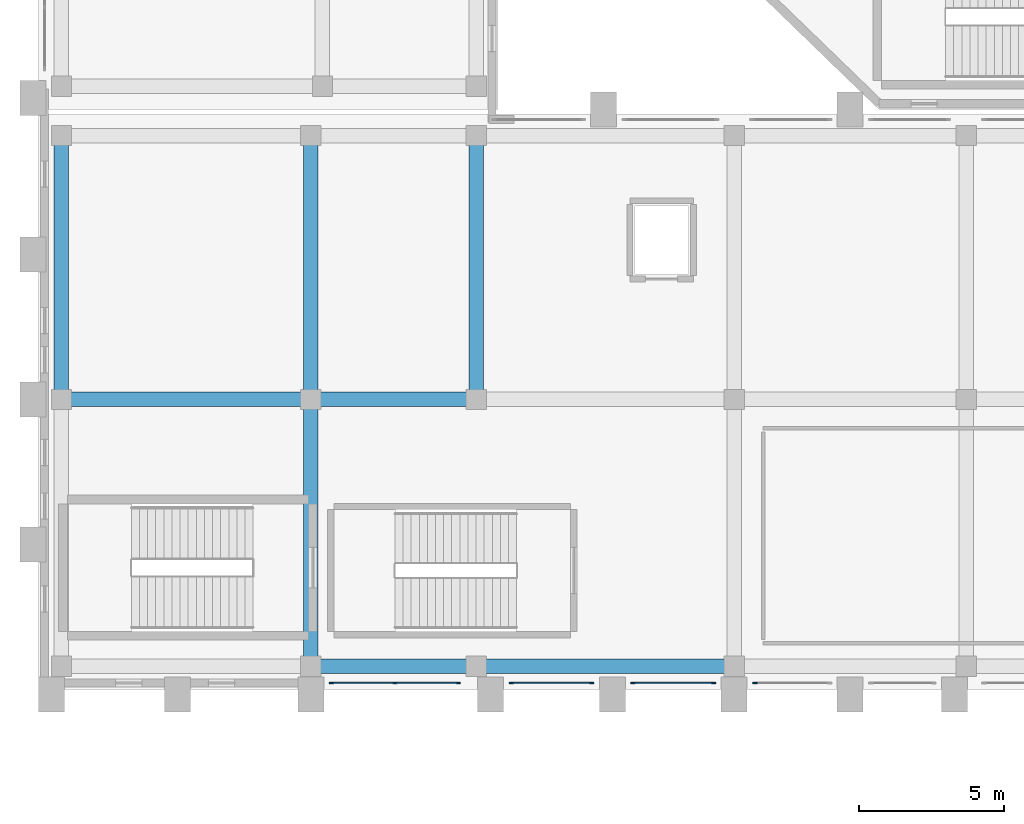
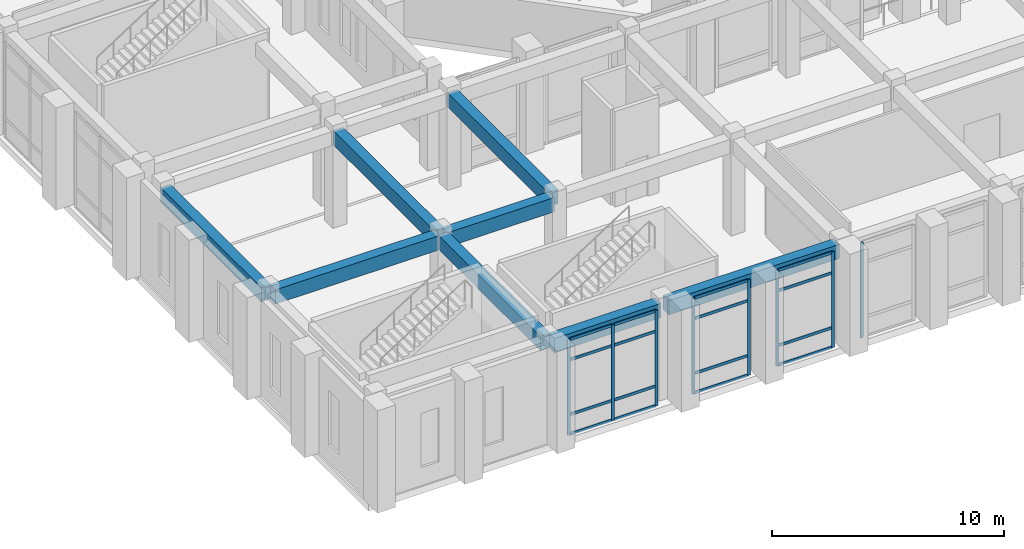
# One storey, part 18 of 159: 24 members, 8 beams, 4 elements without a shape of their own.
"""IFC4 building model written with IfcOpenShell, lengths in metres."""

from ifc_helpers import new_model, si_unit, derived_unit, direction, frame, origin, origin_2d, place, context, subcontext, project, spatial, rectangle, extrude, material, layer, layer_set, material_profile, profile_set, type_object, element, aggregate, save


model = new_model("IFC4")

# Units and contexts
model_context = context("Model", 3, precision=1e-05, world=origin(), true_north=direction((0.0, 1.0)))
body_context = subcontext(model_context, "Body", "Model", "MODEL_VIEW")
ifc_project = project(units=[si_unit("LENGTHUNIT", "METRE"), si_unit("AREAUNIT", "SQUARE_METRE"), si_unit("VOLUMEUNIT", "CUBIC_METRE"), si_unit("PLANEANGLEUNIT", "RADIAN"), si_unit("MASSUNIT", "GRAM", prefix="KILO"), derived_unit("THERMALTRANSMITTANCEUNIT", [(si_unit("MASSUNIT", "GRAM", prefix="KILO"), 1), (si_unit("TIMEUNIT", "SECOND"), -3), (si_unit("THERMODYNAMICTEMPERATUREUNIT", "KELVIN"), -1)])], contexts=[model_context])

# Site, building, storey
site_placement = place(None, origin())
site = spatial("IfcSite", under=ifc_project, at=site_placement, CompositionType="ELEMENT")
building_placement = place(site_placement, origin())
building = spatial("IfcBuilding", under=site, at=building_placement, Name="Valcora Ridge Arena", CompositionType="ELEMENT")
storey_placement = place(building_placement, frame((0.0, 0.0, 6.0)))
storey = spatial("IfcBuildingStorey", under=building, at=storey_placement, Name="L01", CompositionType="ELEMENT", Elevation=6.0)

# Beams
ifc_material_1 = material(Name="Concrete C40/50", Category="concrete")
ifc_material_profile_1 = material_profile(ifc_material_1, rectangle(XDim=0.5, YDim=0.75, at=origin_2d()), Name="RC 500x750")
ifc_profile_set_1 = profile_set([ifc_material_profile_1], Name="Concrete C40/50")
beam_type_1 = type_object("IfcBeamType", Name="TY-BEAM-B-RC500-X", PredefinedType="BEAM", material=ifc_profile_set_1)
beam_1_placement = place(storey_placement, frame((1.0, 10.0, 4.6650390625), z_axis=(1.0, 0.0, 0.0), x_axis=(0.0, 1.0, 0.0)))
element("IfcBeam", 1, at=beam_1_placement, inside=storey, type_object=beam_type_1, Name="B-RC500-X BEM-B-RC500-X-0027", PredefinedType="BEAM", context=body_context, shape_type="SweptSolid", body=[
    extrude(rectangle(XDim=0.5, YDim=0.75, at=origin_2d()), origin(), (0.0, 0.0, 1.0), 8.199951171875),
])
beam_2_placement = place(storey_placement, frame((9.60009765625, 10.0, 4.6650390625), z_axis=(1.0, 0.0, 0.0), x_axis=(0.0, 1.0, 0.0)))
element("IfcBeam", 2, at=beam_2_placement, inside=storey, type_object=beam_type_1, Name="B-RC500-X BEM-B-RC500-X-0028", PredefinedType="BEAM", context=body_context, shape_type="SweptSolid", body=[
    extrude(rectangle(XDim=0.5, YDim=0.75, at=origin_2d()), origin(), (0.0, 0.0, 1.0), 5.2998046875),
])
ifc_material_profile_2 = material_profile(ifc_material_1, rectangle(XDim=0.5, YDim=0.75, at=origin_2d()), Name="RC 500x750")
ifc_profile_set_2 = profile_set([ifc_material_profile_2], Name="Concrete C40/50")
beam_type_2 = type_object("IfcBeamType", Name="TY-BEAM-B-RC500-Y", PredefinedType="BEAM", material=ifc_profile_set_2)
beam_3_placement = place(storey_placement, frame((0.800048828125, 10.199951171875, 4.6650390625), z_axis=(0.0, 1.0, 0.0), x_axis=(-1.0, 0.0, 0.0)))
element("IfcBeam", 3, at=beam_3_placement, inside=storey, type_object=beam_type_2, Name="B-RC500-Y BEM-B-RC500-Y-0035", PredefinedType="BEAM", context=body_context, shape_type="SweptSolid", body=[
    extrude(rectangle(XDim=0.5, YDim=0.75, at=origin_2d()), origin(), (0.0, 0.0, 1.0), 8.699951171875),
])
beam_4_placement = place(storey_placement, frame((9.39990234375, 1.0, 4.6650390625), z_axis=(0.0, 1.0, 0.0), x_axis=(-1.0, 0.0, 0.0)))
element("IfcBeam", 4, at=beam_4_placement, inside=storey, type_object=beam_type_2, Name="B-RC500-Y BEM-B-RC500-Y-0042", PredefinedType="BEAM", context=body_context, shape_type="SweptSolid", body=[
    extrude(rectangle(XDim=0.5, YDim=0.75, at=origin_2d()), origin(), (0.0, 0.0, 1.0), 8.800048828125),
])
for number, where, z_axis, x_axis, name in (
    (5, (9.39990234375, 10.199951171875, 4.6650390625), (0.0, 1.0, 0.0), (-1.0, 0.0, 0.0), "B-RC500-Y BEM-B-RC500-Y-0043"),
    (6, (15.10009765625, 10.199951171875, 4.6650390625), (0.0, 1.0, 0.0), (-1.0, 0.0, 0.0), "B-RC500-Y BEM-B-RC500-Y-0050"),
):
    element("IfcBeam", number, at=place(storey_placement, frame(where, z_axis=z_axis, x_axis=x_axis)), inside=storey, type_object=beam_type_2, Name=name, PredefinedType="BEAM", context=body_context, shape_type="SweptSolid", body=[
        extrude(rectangle(XDim=0.5, YDim=0.75, at=origin_2d()), origin(), (0.0, 0.0, 1.0), 8.699951171875),
    ])
ifc_material_profile_3 = material_profile(ifc_material_1, rectangle(XDim=0.5, YDim=0.75, at=origin_2d()), Name="RC 500x750")
ifc_profile_set_3 = profile_set([ifc_material_profile_3], Name="Concrete C40/50")
beam_type_3 = type_object("IfcBeamType", Name="TY-BEAM-EB-RC500", PredefinedType="BEAM", material=ifc_profile_set_3)
beam_5_placement = place(storey_placement, frame((9.60009765625, 0.800048828125, 4.6650390625), z_axis=(1.0, 0.0, 0.0), x_axis=(0.0, 1.0, 0.0)))
element("IfcBeam", 7, at=beam_5_placement, inside=storey, type_object=beam_type_3, Name="EB-RC500 BEM-EB-RC500-0011", PredefinedType="BEAM", context=body_context, shape_type="SweptSolid", body=[
    extrude(rectangle(XDim=0.5, YDim=0.75, at=origin_2d()), origin(), (0.0, 0.0, 1.0), 5.2998046875),
])
beam_6_placement = place(storey_placement, frame((15.300048828125, 0.800048828125, 4.6650390625), z_axis=(1.0, 0.0, 0.0), x_axis=(0.0, 1.0, 0.0)))
element("IfcBeam", 8, at=beam_6_placement, inside=storey, type_object=beam_type_3, Name="EB-RC500 BEM-EB-RC500-0012", PredefinedType="BEAM", context=body_context, shape_type="SweptSolid", body=[
    extrude(rectangle(XDim=0.5, YDim=0.75, at=origin_2d()), origin(), (0.0, 0.0, 1.0), 8.5),
])

# Curtain wall, members
ifc_material_2 = material(Name="Anodised dark bronze architectural aluminium 6063-T6", Category="aluminium")
ifc_layer_1 = layer(ifc_material_2, 0.14990234375, Name="Anodised dark bronze architectural aluminium 6063-T6")
ifc_layer_set_1 = layer_set([ifc_layer_1], Name="Anodised dark bronze architectural aluminium 6063-T6")
curtain_wall_type_1 = type_object("IfcCurtainWallType", Name="TY-CURTAINWALL-CW-V4-CLUB-044X50", PredefinedType="NOTDEFINED", material=ifc_layer_set_1)
curtain_wall_1_placement = place(storey_placement, origin())
curtain_wall_1 = element("IfcCurtainWall", 9, at=curtain_wall_1_placement, inside=storey, type_object=curtain_wall_type_1, Name="CW-V4-CLUB-044X50 CW-0204", PredefinedType="NOTDEFINED")
ifc_material_profile_4 = material_profile(ifc_material_2, rectangle(XDim=0.050048828125, YDim=0.14990234375, at=origin_2d()), Name="ALU MULLION 50x150")
ifc_profile_set_4 = profile_set([ifc_material_profile_4], Name="Anodised dark bronze architectural aluminium 6063-T6")
member_type_1 = type_object("IfcMemberType", Name="TY-MEM-CWM-50x150", PredefinedType="MULLION", material=ifc_profile_set_4)
member_1_placement = place(storey_placement, frame((10.114990234375, 0.219970703125, 0.0), z_axis=(0.0, 0.0, 1.0), x_axis=(0.0, 1.0, 0.0)))
member_1 = element("IfcMember", 10, at=member_1_placement, type_object=member_type_1, Name="CW-0204/CWM-50x150/M00", PredefinedType="MULLION", context=body_context, shape_type="SweptSolid", body=[
    extrude(rectangle(XDim=0.050048828125, YDim=0.14990234375, at=origin_2d()), origin(), (0.0, 0.0, 1.0), 5.0400390625),
])
member_2_placement = place(storey_placement, frame((12.300048828125, 0.219970703125, 0.0), z_axis=(0.0, 0.0, 1.0), x_axis=(0.0, 1.0, 0.0)))
member_2 = element("IfcMember", 11, at=member_2_placement, type_object=member_type_1, Name="CW-0204/CWM-50x150/M01", PredefinedType="MULLION", context=body_context, shape_type="SweptSolid", body=[
    extrude(rectangle(XDim=0.050048828125, YDim=0.14990234375, at=origin_2d()), origin(), (0.0, 0.0, 1.0), 5.0400390625),
])
member_3_placement = place(storey_placement, frame((14.485107421875, 0.219970703125, 0.0), z_axis=(0.0, 0.0, 1.0), x_axis=(0.0, 1.0, 0.0)))
member_3 = element("IfcMember", 12, at=member_3_placement, type_object=member_type_1, Name="CW-0204/CWM-50x150/M02", PredefinedType="MULLION", context=body_context, shape_type="SweptSolid", body=[
    extrude(rectangle(XDim=0.050048828125, YDim=0.14990234375, at=origin_2d()), origin(), (0.0, 0.0, 1.0), 5.0400390625),
])

ifc_layer_2 = layer(ifc_material_2, 0.14990234375, Name="Anodised dark bronze architectural aluminium 6063-T6")
ifc_layer_set_2 = layer_set([ifc_layer_2], Name="Anodised dark bronze architectural aluminium 6063-T6")
curtain_wall_type_2 = type_object("IfcCurtainWallType", Name="TY-CURTAINWALL-CW-V4-CLUB-028X50", PredefinedType="NOTDEFINED", material=ifc_layer_set_2)
curtain_wall_2_placement = place(storey_placement, origin())
curtain_wall_2 = element("IfcCurtainWall", 13, at=curtain_wall_2_placement, inside=storey, type_object=curtain_wall_type_2, Name="CW-V4-CLUB-028X50 CW-0205", PredefinedType="NOTDEFINED")
member_4_placement = place(storey_placement, frame((16.31494140625, 0.219970703125, 0.0), z_axis=(0.0, 0.0, 1.0), x_axis=(0.0, 1.0, 0.0)))
member_4 = element("IfcMember", 14, at=member_4_placement, type_object=member_type_1, Name="CW-0205/CWM-50x150/M00", PredefinedType="MULLION", context=body_context, shape_type="SweptSolid", body=[
    extrude(rectangle(XDim=0.050048828125, YDim=0.14990234375, at=origin_2d()), origin(), (0.0, 0.0, 1.0), 5.0400390625),
])
member_5_placement = place(storey_placement, frame((19.0849609375, 0.219970703125, 0.0), z_axis=(0.0, 0.0, 1.0), x_axis=(0.0, 1.0, 0.0)))
member_5 = element("IfcMember", 15, at=member_5_placement, type_object=member_type_1, Name="CW-0205/CWM-50x150/M01", PredefinedType="MULLION", context=body_context, shape_type="SweptSolid", body=[
    extrude(rectangle(XDim=0.050048828125, YDim=0.14990234375, at=origin_2d()), origin(), (0.0, 0.0, 1.0), 5.0400390625),
])

curtain_wall_3_placement = place(storey_placement, origin())
curtain_wall_3 = element("IfcCurtainWall", 16, at=curtain_wall_3_placement, inside=storey, type_object=curtain_wall_type_2, Name="CW-V4-CLUB-028X50 CW-0206", PredefinedType="NOTDEFINED")
member_6_placement = place(storey_placement, frame((20.514892578125, 0.219970703125, 0.0), z_axis=(0.0, 0.0, 1.0), x_axis=(0.0, 1.0, 0.0)))
member_6 = element("IfcMember", 17, at=member_6_placement, type_object=member_type_1, Name="CW-0206/CWM-50x150/M00", PredefinedType="MULLION", context=body_context, shape_type="SweptSolid", body=[
    extrude(rectangle(XDim=0.050048828125, YDim=0.14990234375, at=origin_2d()), origin(), (0.0, 0.0, 1.0), 5.0400390625),
])
member_7_placement = place(storey_placement, frame((23.284912109375, 0.219970703125, 0.0), z_axis=(0.0, 0.0, 1.0), x_axis=(0.0, 1.0, 0.0)))
member_7 = element("IfcMember", 18, at=member_7_placement, type_object=member_type_1, Name="CW-0206/CWM-50x150/M01", PredefinedType="MULLION", context=body_context, shape_type="SweptSolid", body=[
    extrude(rectangle(XDim=0.050048828125, YDim=0.14990234375, at=origin_2d()), origin(), (0.0, 0.0, 1.0), 5.0400390625),
])

# Curtain wall, member
ifc_layer_3 = layer(ifc_material_2, 0.14990234375, Name="Anodised dark bronze architectural aluminium 6063-T6")
ifc_layer_set_3 = layer_set([ifc_layer_3], Name="Anodised dark bronze architectural aluminium 6063-T6")
curtain_wall_type_3 = type_object("IfcCurtainWallType", Name="TY-CURTAINWALL-CW-V4-CLUB-026X50", PredefinedType="NOTDEFINED", material=ifc_layer_set_3)
curtain_wall_4_placement = place(storey_placement, origin())
curtain_wall_4 = element("IfcCurtainWall", 19, at=curtain_wall_4_placement, inside=storey, type_object=curtain_wall_type_3, Name="CW-V4-CLUB-026X50 CW-0207", PredefinedType="NOTDEFINED")
member_8_placement = place(storey_placement, frame((24.715087890625, 0.219970703125, 0.0), z_axis=(0.0, 0.0, 1.0), x_axis=(0.0, 1.0, 0.0)))
member_8 = element("IfcMember", 20, at=member_8_placement, type_object=member_type_1, Name="CW-0207/CWM-50x150/M00", PredefinedType="MULLION", context=body_context, shape_type="SweptSolid", body=[
    extrude(rectangle(XDim=0.050048828125, YDim=0.14990234375, at=origin_2d()), origin(), (0.0, 0.0, 1.0), 5.0400390625),
])
aggregate(curtain_wall_4, [member_8])

# Member
ifc_material_profile_5 = material_profile(ifc_material_2, rectangle(XDim=0.050048828125, YDim=0.14990234375, at=origin_2d()), Name="ALU TRANSOM 50x150")
ifc_profile_set_5 = profile_set([ifc_material_profile_5], Name="Anodised dark bronze architectural aluminium 6063-T6")
member_type_2 = type_object("IfcMemberType", Name="TY-MEM-CWT-50x150", PredefinedType="USERDEFINED", material=ifc_profile_set_5)
member_9_placement = place(storey_placement, frame((10.139892578125, 0.219970703125, 0.02490234375), z_axis=(1.0, 0.0, 0.0), x_axis=(0.0, 1.0, 0.0)))
member_9 = element("IfcMember", 21, at=member_9_placement, type_object=member_type_2, Name="CW-0204/CWT-50x150/T00-00", ObjectType="TRANSOM", PredefinedType="USERDEFINED", context=body_context, shape_type="SweptSolid", body=[
    extrude(rectangle(XDim=0.050048828125, YDim=0.14990234375, at=origin_2d()), origin(), (0.0, 0.0, 1.0), 2.135009765625),
])

member_10_placement = place(storey_placement, frame((10.139892578125, 0.219970703125, 1.050048828125), z_axis=(1.0, 0.0, 0.0), x_axis=(0.0, 1.0, 0.0)))
member_10 = element("IfcMember", 22, at=member_10_placement, type_object=member_type_2, Name="CW-0204/CWT-50x150/T00-01", ObjectType="TRANSOM", PredefinedType="USERDEFINED", context=body_context, shape_type="SweptSolid", body=[
    extrude(rectangle(XDim=0.050048828125, YDim=0.14990234375, at=origin_2d()), origin(), (0.0, 0.0, 1.0), 2.135009765625),
])

member_11_placement = place(storey_placement, frame((10.139892578125, 0.219970703125, 3.93994140625), z_axis=(1.0, 0.0, 0.0), x_axis=(0.0, 1.0, 0.0)))
member_11 = element("IfcMember", 23, at=member_11_placement, type_object=member_type_2, Name="CW-0204/CWT-50x150/T00-02", ObjectType="TRANSOM", PredefinedType="USERDEFINED", context=body_context, shape_type="SweptSolid", body=[
    extrude(rectangle(XDim=0.050048828125, YDim=0.14990234375, at=origin_2d()), origin(), (0.0, 0.0, 1.0), 2.135009765625),
])

member_12_placement = place(storey_placement, frame((10.139892578125, 0.219970703125, 5.014892578125), z_axis=(1.0, 0.0, 0.0), x_axis=(0.0, 1.0, 0.0)))
member_12 = element("IfcMember", 24, at=member_12_placement, type_object=member_type_2, Name="CW-0204/CWT-50x150/T00-03", ObjectType="TRANSOM", PredefinedType="USERDEFINED", context=body_context, shape_type="SweptSolid", body=[
    extrude(rectangle(XDim=0.050048828125, YDim=0.14990234375, at=origin_2d()), origin(), (0.0, 0.0, 1.0), 2.135009765625),
])

member_13_placement = place(storey_placement, frame((12.324951171875, 0.219970703125, 0.02490234375), z_axis=(1.0, 0.0, 0.0), x_axis=(0.0, 1.0, 0.0)))
member_13 = element("IfcMember", 25, at=member_13_placement, type_object=member_type_2, Name="CW-0204/CWT-50x150/T01-00", ObjectType="TRANSOM", PredefinedType="USERDEFINED", context=body_context, shape_type="SweptSolid", body=[
    extrude(rectangle(XDim=0.050048828125, YDim=0.14990234375, at=origin_2d()), origin(), (0.0, 0.0, 1.0), 2.135009765625),
])

member_14_placement = place(storey_placement, frame((12.324951171875, 0.219970703125, 1.050048828125), z_axis=(1.0, 0.0, 0.0), x_axis=(0.0, 1.0, 0.0)))
member_14 = element("IfcMember", 26, at=member_14_placement, type_object=member_type_2, Name="CW-0204/CWT-50x150/T01-01", ObjectType="TRANSOM", PredefinedType="USERDEFINED", context=body_context, shape_type="SweptSolid", body=[
    extrude(rectangle(XDim=0.050048828125, YDim=0.14990234375, at=origin_2d()), origin(), (0.0, 0.0, 1.0), 2.135009765625),
])

member_15_placement = place(storey_placement, frame((12.324951171875, 0.219970703125, 3.93994140625), z_axis=(1.0, 0.0, 0.0), x_axis=(0.0, 1.0, 0.0)))
member_15 = element("IfcMember", 27, at=member_15_placement, type_object=member_type_2, Name="CW-0204/CWT-50x150/T01-02", ObjectType="TRANSOM", PredefinedType="USERDEFINED", context=body_context, shape_type="SweptSolid", body=[
    extrude(rectangle(XDim=0.050048828125, YDim=0.14990234375, at=origin_2d()), origin(), (0.0, 0.0, 1.0), 2.135009765625),
])

member_16_placement = place(storey_placement, frame((12.324951171875, 0.219970703125, 5.014892578125), z_axis=(1.0, 0.0, 0.0), x_axis=(0.0, 1.0, 0.0)))
member_16 = element("IfcMember", 28, at=member_16_placement, type_object=member_type_2, Name="CW-0204/CWT-50x150/T01-03", ObjectType="TRANSOM", PredefinedType="USERDEFINED", context=body_context, shape_type="SweptSolid", body=[
    extrude(rectangle(XDim=0.050048828125, YDim=0.14990234375, at=origin_2d()), origin(), (0.0, 0.0, 1.0), 2.135009765625),
])

aggregate(curtain_wall_1, [member_1, member_2, member_3, member_9, member_10, member_11, member_12, member_13, member_14, member_15, member_16])

member_17_placement = place(storey_placement, frame((16.340087890625, 0.219970703125, 0.02490234375), z_axis=(1.0, 0.0, 0.0), x_axis=(0.0, 1.0, 0.0)))
member_17 = element("IfcMember", 29, at=member_17_placement, type_object=member_type_2, Name="CW-0205/CWT-50x150/T00-00", ObjectType="TRANSOM", PredefinedType="USERDEFINED", context=body_context, shape_type="SweptSolid", body=[
    extrude(rectangle(XDim=0.050048828125, YDim=0.14990234375, at=origin_2d()), origin(), (0.0, 0.0, 1.0), 2.719970703125),
])

member_18_placement = place(storey_placement, frame((16.340087890625, 0.219970703125, 1.050048828125), z_axis=(1.0, 0.0, 0.0), x_axis=(0.0, 1.0, 0.0)))
member_18 = element("IfcMember", 30, at=member_18_placement, type_object=member_type_2, Name="CW-0205/CWT-50x150/T00-01", ObjectType="TRANSOM", PredefinedType="USERDEFINED", context=body_context, shape_type="SweptSolid", body=[
    extrude(rectangle(XDim=0.050048828125, YDim=0.14990234375, at=origin_2d()), origin(), (0.0, 0.0, 1.0), 2.719970703125),
])

member_19_placement = place(storey_placement, frame((16.340087890625, 0.219970703125, 3.93994140625), z_axis=(1.0, 0.0, 0.0), x_axis=(0.0, 1.0, 0.0)))
member_19 = element("IfcMember", 31, at=member_19_placement, type_object=member_type_2, Name="CW-0205/CWT-50x150/T00-02", ObjectType="TRANSOM", PredefinedType="USERDEFINED", context=body_context, shape_type="SweptSolid", body=[
    extrude(rectangle(XDim=0.050048828125, YDim=0.14990234375, at=origin_2d()), origin(), (0.0, 0.0, 1.0), 2.719970703125),
])

member_20_placement = place(storey_placement, frame((16.340087890625, 0.219970703125, 5.014892578125), z_axis=(1.0, 0.0, 0.0), x_axis=(0.0, 1.0, 0.0)))
member_20 = element("IfcMember", 32, at=member_20_placement, type_object=member_type_2, Name="CW-0205/CWT-50x150/T00-03", ObjectType="TRANSOM", PredefinedType="USERDEFINED", context=body_context, shape_type="SweptSolid", body=[
    extrude(rectangle(XDim=0.050048828125, YDim=0.14990234375, at=origin_2d()), origin(), (0.0, 0.0, 1.0), 2.719970703125),
])

aggregate(curtain_wall_2, [member_4, member_5, member_17, member_18, member_19, member_20])

member_21_placement = place(storey_placement, frame((20.5400390625, 0.219970703125, 0.02490234375), z_axis=(1.0, 0.0, 0.0), x_axis=(0.0, 1.0, 0.0)))
member_21 = element("IfcMember", 33, at=member_21_placement, type_object=member_type_2, Name="CW-0206/CWT-50x150/T00-00", ObjectType="TRANSOM", PredefinedType="USERDEFINED", context=body_context, shape_type="SweptSolid", body=[
    extrude(rectangle(XDim=0.050048828125, YDim=0.14990234375, at=origin_2d()), origin(), (0.0, 0.0, 1.0), 2.719970703125),
])

member_22_placement = place(storey_placement, frame((20.5400390625, 0.219970703125, 1.050048828125), z_axis=(1.0, 0.0, 0.0), x_axis=(0.0, 1.0, 0.0)))
member_22 = element("IfcMember", 34, at=member_22_placement, type_object=member_type_2, Name="CW-0206/CWT-50x150/T00-01", ObjectType="TRANSOM", PredefinedType="USERDEFINED", context=body_context, shape_type="SweptSolid", body=[
    extrude(rectangle(XDim=0.050048828125, YDim=0.14990234375, at=origin_2d()), origin(), (0.0, 0.0, 1.0), 2.719970703125),
])

member_23_placement = place(storey_placement, frame((20.5400390625, 0.219970703125, 3.93994140625), z_axis=(1.0, 0.0, 0.0), x_axis=(0.0, 1.0, 0.0)))
member_23 = element("IfcMember", 35, at=member_23_placement, type_object=member_type_2, Name="CW-0206/CWT-50x150/T00-02", ObjectType="TRANSOM", PredefinedType="USERDEFINED", context=body_context, shape_type="SweptSolid", body=[
    extrude(rectangle(XDim=0.050048828125, YDim=0.14990234375, at=origin_2d()), origin(), (0.0, 0.0, 1.0), 2.719970703125),
])

member_24_placement = place(storey_placement, frame((20.5400390625, 0.219970703125, 5.014892578125), z_axis=(1.0, 0.0, 0.0), x_axis=(0.0, 1.0, 0.0)))
member_24 = element("IfcMember", 36, at=member_24_placement, type_object=member_type_2, Name="CW-0206/CWT-50x150/T00-03", ObjectType="TRANSOM", PredefinedType="USERDEFINED", context=body_context, shape_type="SweptSolid", body=[
    extrude(rectangle(XDim=0.050048828125, YDim=0.14990234375, at=origin_2d()), origin(), (0.0, 0.0, 1.0), 2.719970703125),
])

aggregate(curtain_wall_3, [member_6, member_7, member_21, member_22, member_23, member_24])

save(model, "model.ifc")
